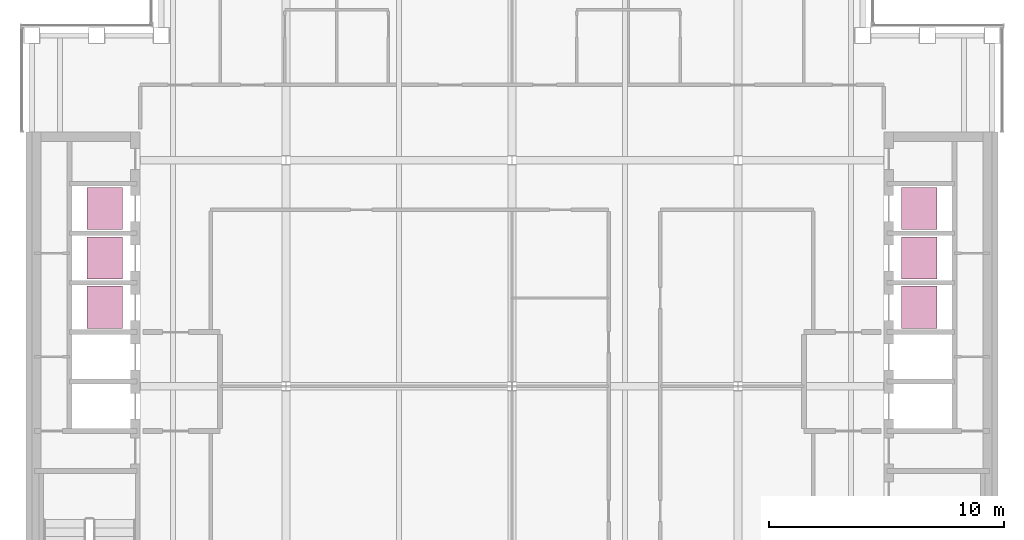
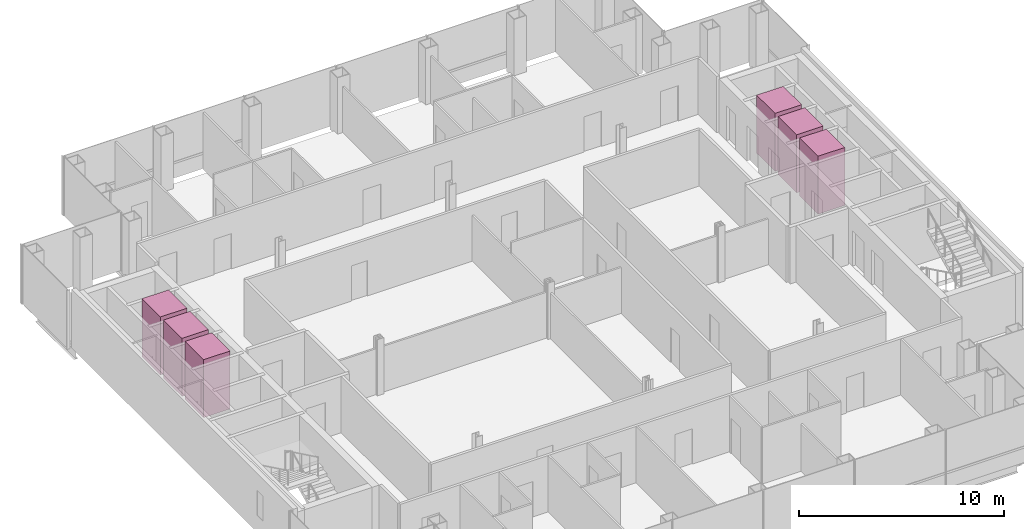
# One storey, part 15 of 15: 6 transport elements.
"""IFC4 building model written with IfcOpenShell, lengths in metres."""

import ifcopenshell
import ifcopenshell.guid

model = None  # the IFC model being written
_history = None  # IfcOwnerHistory: only IFC2X3 demands one
_inside = {}  # id of a spatial element -> (the spatial element, [elements in it])
_under = {}  # id of a project, library or spatial element -> (it, [spatial elements below it])
_declared = {}  # id of a project -> (the project, [libraries it declares])
_typed = {}  # id of a type object -> (the type object, [elements of that type])
_made_of = {}  # id of a material, layer set ... -> (it, [elements and type objects made of it])


def new_model(schema):
    """Start an empty IFC model of exactly this schema.

    Asked for "IFC4X3", IfcOpenShell would pick the latest addendum, in which some entities
    have other attributes; the version numbers below select the first issue.
    IFC2X3 requires an IfcOwnerHistory on every rooted entity: one is made here for all.
    """
    global model, _history
    if schema == "IFC4X3":
        model = ifcopenshell.file(schema_version=(4, 3, 0, 0))
    else:
        model = ifcopenshell.file(schema=schema)
    _inside.clear()
    _under.clear()
    _declared.clear()
    _typed.clear()
    _made_of.clear()
    _history = None
    if model.schema == "IFC2X3":
        org = make("IfcOrganization", Name="unknown")
        user = make(
            "IfcPersonAndOrganization",
            ThePerson=make("IfcPerson", FamilyName="unknown"),
            TheOrganization=org,
        )
        app = make(
            "IfcApplication",
            ApplicationDeveloper=org,
            Version="unknown",
            ApplicationFullName="unknown",
            ApplicationIdentifier="unknown",
        )
        _history = make(
            "IfcOwnerHistory",
            OwningUser=user,
            OwningApplication=app,
            ChangeAction="ADDED",
            CreationDate=0,
        )
    return model


def make(cls, **values):
    """One entity of the class cls with the attributes given. An attribute that is None is left unset."""
    return model.create_entity(
        cls, **{name: value for name, value in values.items() if value is not None}
    )


def rooted(cls, **values):
    """An entity with a GlobalId (a new one), such as an element, a storey or a relation."""
    return make(cls, GlobalId=ifcopenshell.guid.new(), OwnerHistory=_history, **values)


def si_unit(unit_type, name, prefix=None):
    """IfcSIUnit, for example si_unit("LENGTHUNIT", "METRE", prefix="MILLI")."""
    return make("IfcSIUnit", UnitType=unit_type, Prefix=prefix, Name=name)


def assignment(units):
    """IfcUnitAssignment: the units of a project."""
    return None if units is None else make("IfcUnitAssignment", Units=units)


def point(xyz):
    """IfcCartesianPoint."""
    return None if xyz is None else make("IfcCartesianPoint", Coordinates=xyz)


def direction(xyz):
    """IfcDirection."""
    return None if xyz is None else make("IfcDirection", DirectionRatios=xyz)


def frame(location, z_axis=None, x_axis=None):
    """IfcAxis2Placement3D, a coordinate frame: its origin and axes. An axis left out is left unset."""
    return make(
        "IfcAxis2Placement3D",
        Location=point(location),
        Axis=direction(z_axis),
        RefDirection=direction(x_axis),
    )


def frame_2d(location, x_axis=None):
    """IfcAxis2Placement2D, a coordinate frame in the plane: its origin and x axis."""
    return make(
        "IfcAxis2Placement2D", Location=point(location), RefDirection=direction(x_axis)
    )


def origin():
    """The frame at (0, 0, 0) with its axes left unset."""
    return frame((0.0, 0.0, 0.0))


def origin_2d():
    """The frame at (0, 0) in the plane with its x axis left unset."""
    return frame_2d((0.0, 0.0))


def place(relative_to, where):
    """IfcLocalPlacement: puts the frame where relative to a parent placement (None: the world)."""
    return make(
        "IfcLocalPlacement", PlacementRelTo=relative_to, RelativePlacement=where
    )


def context(
    kind, dimensions, precision=None, world=None, true_north=None, identifier=None
):
    """IfcGeometricRepresentationContext, for example the 3D "Model" context."""
    return make(
        "IfcGeometricRepresentationContext",
        ContextIdentifier=identifier,
        ContextType=kind,
        CoordinateSpaceDimension=dimensions,
        Precision=precision,
        WorldCoordinateSystem=world,
        TrueNorth=true_north,
    )


def subcontext(parent, identifier, kind, view, scale=None):
    """IfcGeometricRepresentationSubContext, for example "Body" below "Model"."""
    return make(
        "IfcGeometricRepresentationSubContext",
        ContextIdentifier=identifier,
        ContextType=kind,
        ParentContext=parent,
        TargetScale=scale,
        TargetView=view,
    )


def project(units=None, contexts=None):
    """IfcProject with its units and contexts."""
    return rooted(
        "IfcProject",
        Name="project",
        RepresentationContexts=contexts,
        UnitsInContext=assignment(units),
    )


def spatial(cls, under=None, at=None, **own):
    """A site, building, storey or space (cls), placed at a placement, below another one or the project."""
    s = rooted(cls, ObjectPlacement=at, **own)
    if under is not None:
        _under.setdefault(under.id(), (under, []))[1].append(s)
    return s


def profile(cls, at=None, kind="AREA", **sizes):
    """A parametric profile (cls). Its sizes go by their IFC names, for example OverallWidth=200.0."""
    return make(cls, ProfileType=kind, Position=at, **sizes)


def rectangle(**sizes):
    """IfcRectangleProfileDef."""
    return profile("IfcRectangleProfileDef", **sizes)


def extrude(swept, where, along, depth):
    """IfcExtrudedAreaSolid: the profile swept, set in the frame where, extruded along a direction by depth."""
    return make(
        "IfcExtrudedAreaSolid",
        SweptArea=swept,
        Position=where,
        ExtrudedDirection=direction(along),
        Depth=depth,
    )


def shape(context_of_items, identifier, shape_type, items):
    """IfcShapeRepresentation: the items that make up one representation, for example the "Body"."""
    return make(
        "IfcShapeRepresentation",
        ContextOfItems=context_of_items,
        RepresentationIdentifier=identifier,
        RepresentationType=shape_type,
        Items=items,
    )


def material(Name=None, Category=None):
    """IfcMaterial."""
    return make("IfcMaterial", Name=Name, Category=Category)


def made_of(thing, what):
    """Note that an element or type object is made of a material, layer set ...; save() writes the relation."""
    if what is not None:
        _made_of.setdefault(what.id(), (what, []))[1].append(thing)
    return thing


def type_object(cls, material=None, **own):
    """A type object (cls), such as IfcWallType, which elements share."""
    return made_of(rooted(cls, **own), material)


def element(
    cls,
    number,
    at=None,
    inside=None,
    cuts=None,
    type_object=None,
    material=None,
    context=None,
    identifier="Body",
    shape_type=None,
    held_by="IfcProductDefinitionShape",
    body=None,
    shapes=None,
    **own,
):
    """One element of the class cls, such as IfcWall. Its Tag is "e" and its number.

    at: its placement. inside: the storey or other place that contains it. cuts: it is an
    opening in that element (IfcRelVoidsElement). A single representation is given by context,
    identifier, shape_type and body (its items); several are given by shapes. held_by: the class
    of the entity that holds the representations. save() writes the other relations.
    """
    e = rooted(cls, Tag="e%d" % number, ObjectPlacement=at, **own)
    if body is not None:
        shapes = [shape(context, identifier, shape_type, body)]
    if shapes is not None:
        e.Representation = make(held_by, Representations=shapes)
    if inside is not None:
        _inside.setdefault(inside.id(), (inside, []))[1].append(e)
    if cuts is not None:
        rooted(
            "IfcRelVoidsElement", RelatingBuildingElement=cuts, RelatedOpeningElement=e
        )
    if type_object is not None:
        _typed.setdefault(type_object.id(), (type_object, []))[1].append(e)
    return made_of(e, material)


def aggregate(whole, parts):
    """IfcRelAggregates: a whole, such as a stair, and the parts it consists of."""
    return rooted("IfcRelAggregates", RelatingObject=whole, RelatedObjects=parts)


def save(model, path):
    """Write the relations noted so far, then the file.

    IfcRelAggregates (storeys below a building ...), IfcRelContainedInSpatialStructure (elements
    in a storey), IfcRelDefinesByType, IfcRelAssociatesMaterial and IfcRelDeclares: one each for
    every whole, place, type object, material and project.
    """
    for whole, parts in _under.values():
        aggregate(whole, parts)
    for where, things in _inside.values():
        rooted(
            "IfcRelContainedInSpatialStructure",
            RelatedElements=things,
            RelatingStructure=where,
        )
    for kind, things in _typed.values():
        rooted("IfcRelDefinesByType", RelatedObjects=things, RelatingType=kind)
    for what, things in _made_of.values():
        rooted("IfcRelAssociatesMaterial", RelatedObjects=things, RelatingMaterial=what)
    for by, libraries in _declared.values():
        rooted("IfcRelDeclares", RelatingContext=by, RelatedDefinitions=libraries)
    model.write(path)


model = new_model("IFC4")

# Units and contexts
model_context = context("Model", 3, precision=1e-05, world=origin(), true_north=direction((0.0, 1.0)))
body_context = subcontext(model_context, "Body", "Model", "MODEL_VIEW")
ifc_project = project(units=[si_unit("LENGTHUNIT", "METRE"), si_unit("AREAUNIT", "SQUARE_METRE"), si_unit("VOLUMEUNIT", "CUBIC_METRE"), si_unit("PLANEANGLEUNIT", "RADIAN"), si_unit("MASSUNIT", "GRAM", prefix="KILO")], contexts=[model_context])

# Site, building, storey
site_placement = place(None, origin())
site = spatial("IfcSite", under=ifc_project, at=site_placement, CompositionType="ELEMENT")
building_placement = place(site_placement, origin())
building = spatial("IfcBuilding", under=site, at=building_placement, Name="Cobrizo Arcos Hotel Tower", CompositionType="ELEMENT")
storey_placement = place(building_placement, frame((0.0, 0.0, 201.5)))
storey = spatial("IfcBuildingStorey", under=building, at=storey_placement, Name="L52", CompositionType="ELEMENT", Elevation=201.5)

# Transport elements
ifc_material = material(Name="Stainless steel car", Category="steel")
transport_element_type = type_object("IfcTransportElementType", Name="Lift car High 1.8x1.5", PredefinedType="ELEVATOR", material=ifc_material)
for number, where, z_axis, x_axis, name in (
    (1, (-17.300048828125, 3.35009765625, 0.0), (0.0, 0.0, 1.0), (1.0, 0.0, 0.0), "High-rise passenger lift W1"),
    (2, (-17.300048828125, 5.449951171875, 0.0), (0.0, 0.0, 1.0), (1.0, 0.0, 0.0), "High-rise passenger lift W2"),
    (3, (-17.300048828125, 7.550048828125, 0.0), (0.0, 0.0, 1.0), (1.0, 0.0, 0.0), "High-rise passenger lift W3"),
    (4, (17.300048828125, 3.35009765625, 0.0), (0.0, 0.0, 1.0), (1.0, 0.0, 0.0), "High-rise passenger lift E1"),
    (5, (17.300048828125, 5.449951171875, 0.0), (0.0, 0.0, 1.0), (1.0, 0.0, 0.0), "High-rise passenger lift E2"),
    (6, (17.300048828125, 7.550048828125, 0.0), (0.0, 0.0, 1.0), (1.0, 0.0, 0.0), "High-rise passenger lift E3"),
):
    element("IfcTransportElement", number, at=place(storey_placement, frame(where, z_axis=z_axis, x_axis=x_axis)), inside=storey, type_object=transport_element_type, Name=name, PredefinedType="ELEVATOR", context=body_context, shape_type="SweptSolid", body=[
        extrude(rectangle(XDim=1.5, YDim=1.800048828125, at=origin_2d()), origin(), (0.0, 0.0, 1.0), 3.449951171875),
    ])

save(model, "model.ifc")
